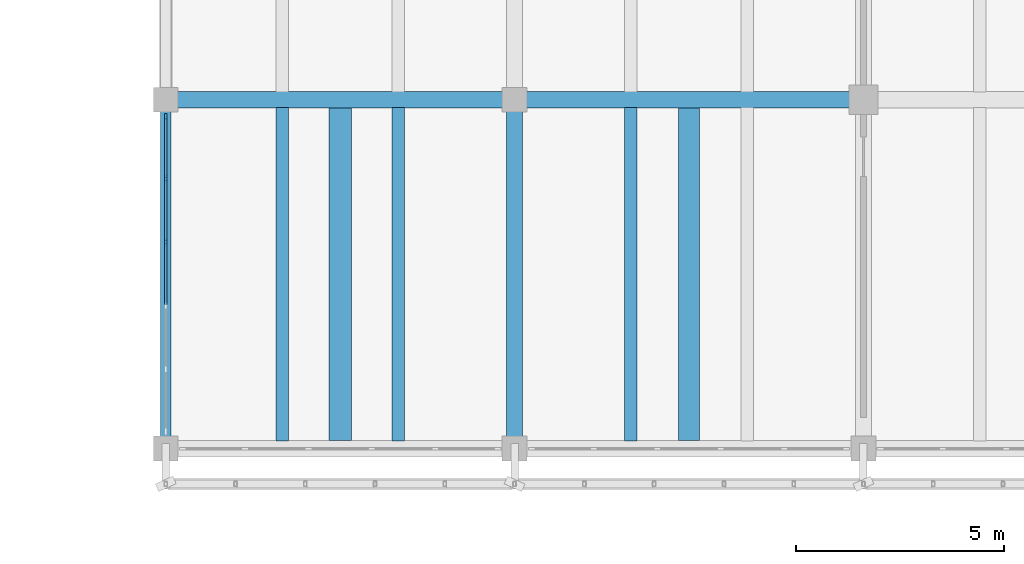
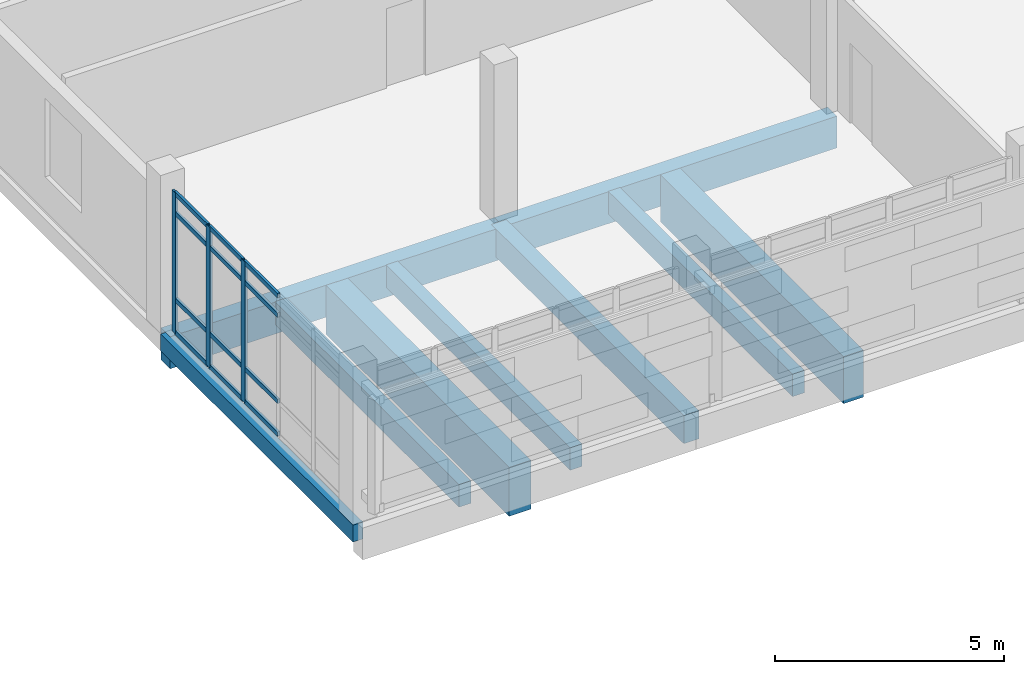
# One storey, part 45 of 137: 15 members, 9 beams, 1 element without a shape of its own.
"""IFC4 building model written with IfcOpenShell, lengths in metres."""

from ifc_helpers import new_model, si_unit, direction, frame, origin, origin_2d, place, context, subcontext, project, spatial, rectangle, extrude, material, material_profile, profile_set, type_object, element, aggregate, save


model = new_model("IFC4")

# Units and contexts
model_context = context("Model", 3, precision=1e-05, world=origin(), true_north=direction((0.0, 1.0)))
body_context = subcontext(model_context, "Body", "Model", "MODEL_VIEW")
ifc_project = project(units=[si_unit("LENGTHUNIT", "METRE"), si_unit("AREAUNIT", "SQUARE_METRE"), si_unit("VOLUMEUNIT", "CUBIC_METRE"), si_unit("PLANEANGLEUNIT", "RADIAN"), si_unit("MASSUNIT", "GRAM", prefix="KILO")], contexts=[model_context])

# Site, building, storey
site_placement = place(None, origin())
site = spatial("IfcSite", under=ifc_project, at=site_placement, CompositionType="ELEMENT")
building_placement = place(site_placement, origin())
building = spatial("IfcBuilding", under=site, at=building_placement, Name="Cinderway Yard Community Centre", CompositionType="ELEMENT")
storey_placement = place(building_placement, frame((0.0, 0.0, 4.800048828125)))
storey = spatial("IfcBuildingStorey", under=building, at=storey_placement, Name="L01", CompositionType="ELEMENT", Elevation=4.800048828125)

# Curtain wall, members
ifc_material_1 = material(Name="Aluminium 6063-T6", Category="aluminium")
curtain_wall_type = type_object("IfcCurtainWallType", Name="ENV-CW-TYPE-26", PredefinedType="USERDEFINED", material=ifc_material_1)
curtain_wall_placement = place(storey_placement, origin())
curtain_wall = element("IfcCurtainWall", 1, at=curtain_wall_placement, inside=storey, type_object=curtain_wall_type, Name="V4 West End Curtain Wall ENV-CW-L01-ST-0140", ObjectType="GLAZED CURTAIN WALL", PredefinedType="USERDEFINED")
ifc_material_profile_1 = material_profile(ifc_material_1, rectangle(XDim=0.06005859375, YDim=0.159912109375, at=origin_2d()), Name="Aluminium 6063-T6")
ifc_profile_set_1 = profile_set([ifc_material_profile_1], Name="Aluminium 6063-T6")
member_type_1 = type_object("IfcMemberType", Name="ENV-CW-MULL-150", PredefinedType="MULLION", material=ifc_profile_set_1)
member_1_placement = place(storey_placement, frame((41.60009765625, 94.964111328125, 0.0), z_axis=(0.0, 0.0, 1.0), x_axis=(-1.0, 0.0, 0.0)))
member_1 = element("IfcMember", 2, at=member_1_placement, type_object=member_type_1, Name="CW-26 mullion 4", PredefinedType="MULLION", context=body_context, shape_type="SweptSolid", body=[
    extrude(rectangle(XDim=0.06005859375, YDim=0.159912109375, at=origin_2d()), origin(), (0.0, 0.0, 1.0), 3.75),
])
member_2_placement = place(storey_placement, frame((41.60009765625, 96.491943359375, 0.0), z_axis=(0.0, 0.0, 1.0), x_axis=(-1.0, 0.0, 0.0)))
member_2 = element("IfcMember", 3, at=member_2_placement, type_object=member_type_1, Name="CW-26 mullion 5", PredefinedType="MULLION", context=body_context, shape_type="SweptSolid", body=[
    extrude(rectangle(XDim=0.06005859375, YDim=0.159912109375, at=origin_2d()), origin(), (0.0, 0.0, 1.0), 3.75),
])
member_3_placement = place(storey_placement, frame((41.60009765625, 97.989990234375, 0.0), z_axis=(0.0, 0.0, 1.0), x_axis=(-1.0, 0.0, 0.0)))
member_3 = element("IfcMember", 4, at=member_3_placement, type_object=member_type_1, Name="CW-26 mullion 6", PredefinedType="MULLION", context=body_context, shape_type="SweptSolid", body=[
    extrude(rectangle(XDim=0.06005859375, YDim=0.159912109375, at=origin_2d()), origin(), (0.0, 0.0, 1.0), 3.75),
])
ifc_material_profile_2 = material_profile(ifc_material_1, rectangle(XDim=0.06005859375, YDim=0.1201171875, at=origin_2d()), Name="Aluminium 6063-T6")
ifc_profile_set_2 = profile_set([ifc_material_profile_2], Name="Aluminium 6063-T6")
member_type_2 = type_object("IfcMemberType", Name="ENV-CW-TRAN-110", PredefinedType="USERDEFINED", material=ifc_profile_set_2)
member_4_placement = place(storey_placement, frame((41.60009765625, 93.466064453125, 0.030029296875), z_axis=(0.0, 1.0, 0.0), x_axis=(-1.0, 0.0, 0.0)))
member_4 = element("IfcMember", 5, at=member_4_placement, type_object=member_type_2, Name="CW-26 transom 3.1", ObjectType="TRANSOM", PredefinedType="USERDEFINED", context=body_context, shape_type="SweptSolid", body=[
    extrude(rectangle(XDim=0.06005859375, YDim=0.1201171875, at=origin_2d()), origin(), (0.0, 0.0, 1.0), 1.468017578125),
])
member_5_placement = place(storey_placement, frame((41.60009765625, 93.466064453125, 0.89990234375), z_axis=(0.0, 1.0, 0.0), x_axis=(-1.0, 0.0, 0.0)))
member_5 = element("IfcMember", 6, at=member_5_placement, type_object=member_type_2, Name="CW-26 transom 3.2", ObjectType="TRANSOM", PredefinedType="USERDEFINED", context=body_context, shape_type="SweptSolid", body=[
    extrude(rectangle(XDim=0.06005859375, YDim=0.1201171875, at=origin_2d()), origin(), (0.0, 0.0, 1.0), 1.468017578125),
])
member_6_placement = place(storey_placement, frame((41.60009765625, 93.466064453125, 3.199951171875), z_axis=(0.0, 1.0, 0.0), x_axis=(-1.0, 0.0, 0.0)))
member_6 = element("IfcMember", 7, at=member_6_placement, type_object=member_type_2, Name="CW-26 transom 3.3", ObjectType="TRANSOM", PredefinedType="USERDEFINED", context=body_context, shape_type="SweptSolid", body=[
    extrude(rectangle(XDim=0.06005859375, YDim=0.1201171875, at=origin_2d()), origin(), (0.0, 0.0, 1.0), 1.468017578125),
])
member_7_placement = place(storey_placement, frame((41.60009765625, 93.466064453125, 3.719970703125), z_axis=(0.0, 1.0, 0.0), x_axis=(-1.0, 0.0, 0.0)))
member_7 = element("IfcMember", 8, at=member_7_placement, type_object=member_type_2, Name="CW-26 transom 3.4", ObjectType="TRANSOM", PredefinedType="USERDEFINED", context=body_context, shape_type="SweptSolid", body=[
    extrude(rectangle(XDim=0.06005859375, YDim=0.1201171875, at=origin_2d()), origin(), (0.0, 0.0, 1.0), 1.468017578125),
])
member_8_placement = place(storey_placement, frame((41.60009765625, 94.993896484375, 0.030029296875), z_axis=(0.0, 1.0, 0.0), x_axis=(-1.0, 0.0, 0.0)))
member_8 = element("IfcMember", 9, at=member_8_placement, type_object=member_type_2, Name="CW-26 transom 4.1", ObjectType="TRANSOM", PredefinedType="USERDEFINED", context=body_context, shape_type="SweptSolid", body=[
    extrude(rectangle(XDim=0.06005859375, YDim=0.1201171875, at=origin_2d()), origin(), (0.0, 0.0, 1.0), 1.468017578125),
])
member_9_placement = place(storey_placement, frame((41.60009765625, 94.993896484375, 0.89990234375), z_axis=(0.0, 1.0, 0.0), x_axis=(-1.0, 0.0, 0.0)))
member_9 = element("IfcMember", 10, at=member_9_placement, type_object=member_type_2, Name="CW-26 transom 4.2", ObjectType="TRANSOM", PredefinedType="USERDEFINED", context=body_context, shape_type="SweptSolid", body=[
    extrude(rectangle(XDim=0.06005859375, YDim=0.1201171875, at=origin_2d()), origin(), (0.0, 0.0, 1.0), 1.468017578125),
])
member_10_placement = place(storey_placement, frame((41.60009765625, 94.993896484375, 3.199951171875), z_axis=(0.0, 1.0, 0.0), x_axis=(-1.0, 0.0, 0.0)))
member_10 = element("IfcMember", 11, at=member_10_placement, type_object=member_type_2, Name="CW-26 transom 4.3", ObjectType="TRANSOM", PredefinedType="USERDEFINED", context=body_context, shape_type="SweptSolid", body=[
    extrude(rectangle(XDim=0.06005859375, YDim=0.1201171875, at=origin_2d()), origin(), (0.0, 0.0, 1.0), 1.468017578125),
])
member_11_placement = place(storey_placement, frame((41.60009765625, 94.993896484375, 3.719970703125), z_axis=(0.0, 1.0, 0.0), x_axis=(-1.0, 0.0, 0.0)))
member_11 = element("IfcMember", 12, at=member_11_placement, type_object=member_type_2, Name="CW-26 transom 4.4", ObjectType="TRANSOM", PredefinedType="USERDEFINED", context=body_context, shape_type="SweptSolid", body=[
    extrude(rectangle(XDim=0.06005859375, YDim=0.1201171875, at=origin_2d()), origin(), (0.0, 0.0, 1.0), 1.468017578125),
])
member_12_placement = place(storey_placement, frame((41.60009765625, 96.52197265625, 0.030029296875), z_axis=(0.0, 1.0, 0.0), x_axis=(-1.0, 0.0, 0.0)))
member_12 = element("IfcMember", 13, at=member_12_placement, type_object=member_type_2, Name="CW-26 transom 5.1", ObjectType="TRANSOM", PredefinedType="USERDEFINED", context=body_context, shape_type="SweptSolid", body=[
    extrude(rectangle(XDim=0.06005859375, YDim=0.1201171875, at=origin_2d()), origin(), (0.0, 0.0, 1.0), 1.43798828125),
])
member_13_placement = place(storey_placement, frame((41.60009765625, 96.52197265625, 0.89990234375), z_axis=(0.0, 1.0, 0.0), x_axis=(-1.0, 0.0, 0.0)))
member_13 = element("IfcMember", 14, at=member_13_placement, type_object=member_type_2, Name="CW-26 transom 5.2", ObjectType="TRANSOM", PredefinedType="USERDEFINED", context=body_context, shape_type="SweptSolid", body=[
    extrude(rectangle(XDim=0.06005859375, YDim=0.1201171875, at=origin_2d()), origin(), (0.0, 0.0, 1.0), 1.43798828125),
])
member_14_placement = place(storey_placement, frame((41.60009765625, 96.52197265625, 3.199951171875), z_axis=(0.0, 1.0, 0.0), x_axis=(-1.0, 0.0, 0.0)))
member_14 = element("IfcMember", 15, at=member_14_placement, type_object=member_type_2, Name="CW-26 transom 5.3", ObjectType="TRANSOM", PredefinedType="USERDEFINED", context=body_context, shape_type="SweptSolid", body=[
    extrude(rectangle(XDim=0.06005859375, YDim=0.1201171875, at=origin_2d()), origin(), (0.0, 0.0, 1.0), 1.43798828125),
])
member_15_placement = place(storey_placement, frame((41.60009765625, 96.52197265625, 3.719970703125), z_axis=(0.0, 1.0, 0.0), x_axis=(-1.0, 0.0, 0.0)))
member_15 = element("IfcMember", 16, at=member_15_placement, type_object=member_type_2, Name="CW-26 transom 5.4", ObjectType="TRANSOM", PredefinedType="USERDEFINED", context=body_context, shape_type="SweptSolid", body=[
    extrude(rectangle(XDim=0.06005859375, YDim=0.1201171875, at=origin_2d()), origin(), (0.0, 0.0, 1.0), 1.43798828125),
])
aggregate(curtain_wall, [member_1, member_2, member_3, member_4, member_5, member_6, member_7, member_8, member_9, member_10, member_11, member_12, member_13, member_14, member_15])

# Beams
ifc_material_2 = material(Name="Concrete C40/50", Category="concrete")
ifc_material_profile_3 = material_profile(ifc_material_2, rectangle(XDim=0.25, YDim=0.449951171875, at=origin_2d()), Name="Concrete C40/50")
ifc_profile_set_3 = profile_set([ifc_material_profile_3], Name="Concrete C40/50")
beam_type_1 = type_object("IfcBeamType", Name="STR-BM-RC250X450", PredefinedType="SPANDREL", material=ifc_profile_set_3)
beam_1_placement = place(storey_placement, frame((41.60009765625, 90.0, -0.485107421875), z_axis=(0.0, 1.0, 0.0), x_axis=(-1.0, 0.0, 0.0)))
element("IfcBeam", 17, at=beam_1_placement, inside=storey, type_object=beam_type_1, Name="Transverse girder STR-BM-L01-SP02-0220", PredefinedType="SPANDREL", context=body_context, shape_type="SweptSolid", body=[
    extrude(rectangle(XDim=0.25, YDim=0.449951171875, at=origin_2d()), origin(), (0.0, 0.0, 1.0), 8.39990234375),
])
ifc_material_3 = material(Name="Concrete C35/45", Category="concrete")
ifc_material_profile_4 = material_profile(ifc_material_3, rectangle(XDim=0.300048828125, YDim=0.60009765625, at=origin_2d()), Name="Concrete C35/45")
ifc_profile_set_4 = profile_set([ifc_material_profile_4], Name="Concrete C35/45")
beam_type_2 = type_object("IfcBeamType", Name="STR-BM-RC300X600", PredefinedType="JOIST", material=ifc_profile_set_4)
for number, where, z_axis, x_axis, name in (
    (18, (44.39990234375, 90.181884765625, -0.56005859375), (0.0, 1.0, 0.0), (-1.0, 0.0, 0.0), "Secondary joist STR-BM-L01-BJ02-0259"),
    (19, (47.199951171875, 90.181884765625, -0.56005859375), (0.0, 1.0, 0.0), (-1.0, 0.0, 0.0), "Secondary joist STR-BM-L01-BJ02-0260"),
    (20, (52.800048828125, 90.181884765625, -0.56005859375), (0.0, 1.0, 0.0), (-1.0, 0.0, 0.0), "Secondary joist STR-BM-L01-BJ02-0265"),
):
    element("IfcBeam", number, at=place(storey_placement, frame(where, z_axis=z_axis, x_axis=x_axis)), inside=storey, type_object=beam_type_2, Name=name, PredefinedType="JOIST", context=body_context, shape_type="SweptSolid", body=[
        extrude(rectangle(XDim=0.300048828125, YDim=0.60009765625, at=origin_2d()), origin(), (0.0, 0.0, 1.0), 8.0361328125),
    ])
ifc_material_profile_5 = material_profile(ifc_material_3, rectangle(XDim=0.3798828125, YDim=0.75, at=origin_2d()), Name="Concrete C35/45")
ifc_profile_set_5 = profile_set([ifc_material_profile_5], Name="Concrete C35/45")
beam_type_3 = type_object("IfcBeamType", Name="STR-BM-RC380X750", PredefinedType="BEAM", material=ifc_profile_set_5)
beam_2_placement = place(storey_placement, frame((50.0, 90.0, -0.635009765625), z_axis=(0.0, 1.0, 0.0), x_axis=(-1.0, 0.0, 0.0)))
element("IfcBeam", 21, at=beam_2_placement, inside=storey, type_object=beam_type_3, Name="Transverse girder STR-BM-L01-BG06-0223", PredefinedType="BEAM", context=body_context, shape_type="SweptSolid", body=[
    extrude(rectangle(XDim=0.3798828125, YDim=0.75, at=origin_2d()), origin(), (0.0, 0.0, 1.0), 8.39990234375),
])
ifc_material_profile_6 = material_profile(ifc_material_2, rectangle(XDim=0.39990234375, YDim=0.85009765625, at=origin_2d()), Name="Concrete C40/50")
ifc_profile_set_6 = profile_set([ifc_material_profile_6], Name="Concrete C40/50")
beam_type_4 = type_object("IfcBeamType", Name="STR-BM-RC400X850", PredefinedType="BEAM", material=ifc_profile_set_6)
for number, where, z_axis, x_axis, name in (
    (22, (41.60009765625, 98.39990234375, -0.68505859375), (1.0, 0.0, 0.0), (0.0, 1.0, 0.0), "Primary girder STR-BM-L01-BG04-0184"),
    (23, (50.0, 98.39990234375, -0.68505859375), (1.0, 0.0, 0.0), (0.0, 1.0, 0.0), "Primary girder STR-BM-L01-BG04-0185"),
):
    element("IfcBeam", number, at=place(storey_placement, frame(where, z_axis=z_axis, x_axis=x_axis)), inside=storey, type_object=beam_type_4, Name=name, PredefinedType="BEAM", context=body_context, shape_type="SweptSolid", body=[
        extrude(rectangle(XDim=0.39990234375, YDim=0.85009765625, at=origin_2d()), origin(), (0.0, 0.0, 1.0), 8.39990234375),
    ])
ifc_material_profile_7 = material_profile(ifc_material_2, rectangle(XDim=0.5, YDim=1.25, at=origin_2d()), Name="Concrete C40/50")
ifc_profile_set_7 = profile_set([ifc_material_profile_7], Name="Concrete C40/50")
beam_type_5 = type_object("IfcBeamType", Name="STR-BM-RC500X1250", PredefinedType="BEAM", material=ifc_profile_set_7)
beam_3_placement = place(storey_placement, frame((54.199951171875, 90.199951171875, -0.885009765625), z_axis=(0.0, 1.0, 0.0), x_axis=(-1.0, 0.0, 0.0)))
element("IfcBeam", 24, at=beam_3_placement, inside=storey, type_object=beam_type_5, Name="Mid-bay secondary beam STR-BM-L01-BG02-1163", PredefinedType="BEAM", context=body_context, shape_type="SweptSolid", body=[
    extrude(rectangle(XDim=0.5, YDim=1.25, at=origin_2d()), origin(), (0.0, 0.0, 1.0), 8.0),
])
ifc_material_profile_8 = material_profile(ifc_material_2, rectangle(XDim=0.550048828125, YDim=1.300048828125, at=origin_2d()), Name="Concrete C40/50")
ifc_profile_set_8 = profile_set([ifc_material_profile_8], Name="Concrete C40/50")
beam_type_6 = type_object("IfcBeamType", Name="STR-BM-RC550X1300", PredefinedType="BEAM", material=ifc_profile_set_8)
beam_4_placement = place(storey_placement, frame((45.800048828125, 90.199951171875, -0.91015625), z_axis=(0.0, 1.0, 0.0), x_axis=(-1.0, 0.0, 0.0)))
element("IfcBeam", 25, at=beam_4_placement, inside=storey, type_object=beam_type_6, Name="Mid-bay secondary beam STR-BM-L01-BG01-1162", PredefinedType="BEAM", context=body_context, shape_type="SweptSolid", body=[
    extrude(rectangle(XDim=0.550048828125, YDim=1.300048828125, at=origin_2d()), origin(), (0.0, 0.0, 1.0), 8.0),
])

save(model, "model.ifc")
